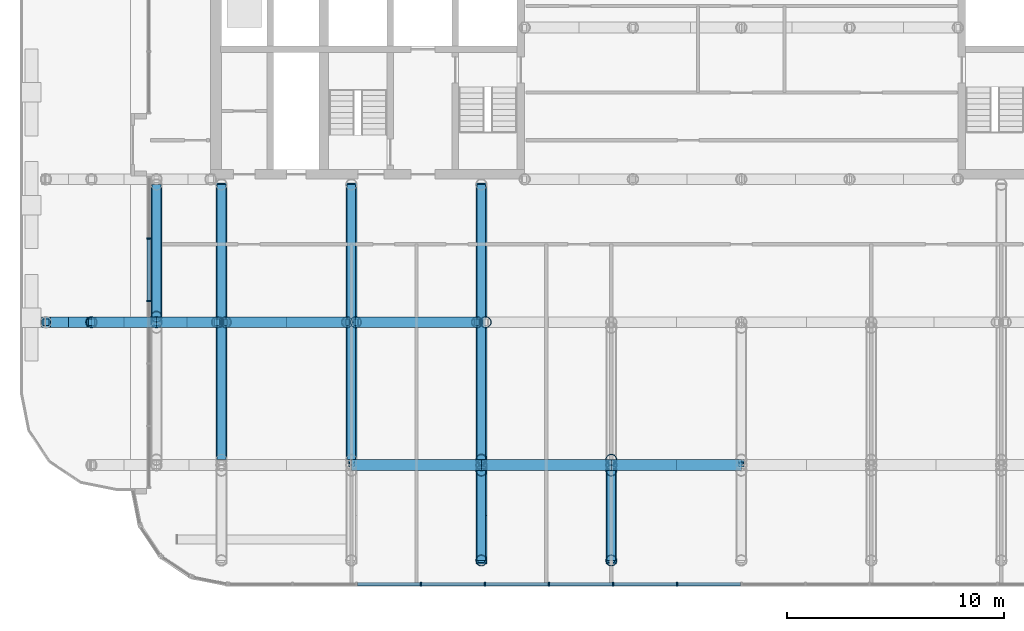
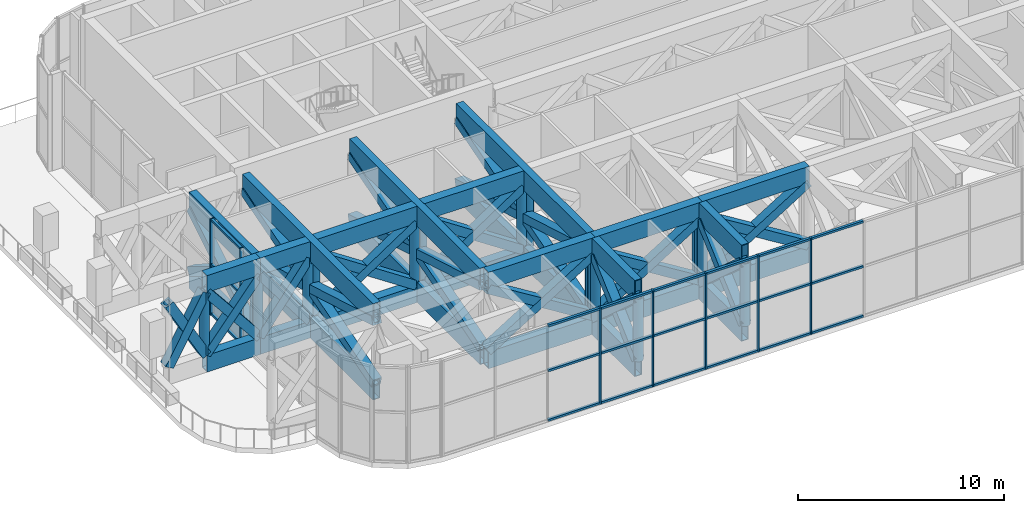
# One storey, part 2 of 25: 73 members, 26 beams, 2 elements without a shape of their own.
"""IFC4 building model written with IfcOpenShell, lengths in metres."""

from ifc_helpers import new_model, si_unit, direction, frame, origin, origin_2d, place, context, subcontext, project, spatial, rectangle, hollow_rectangle, hollow_circle, extrude, material, layer, layer_set, material_profile, profile_set, type_object, element, aggregate, save


model = new_model("IFC4")

# Units and contexts
model_context = context("Model", 3, precision=1e-05, world=origin(), true_north=direction((0.0, 1.0)))
body_context = subcontext(model_context, "Body", "Model", "MODEL_VIEW")
ifc_project = project(units=[si_unit("LENGTHUNIT", "METRE"), si_unit("AREAUNIT", "SQUARE_METRE"), si_unit("VOLUMEUNIT", "CUBIC_METRE"), si_unit("PLANEANGLEUNIT", "RADIAN"), si_unit("MASSUNIT", "GRAM", prefix="KILO")], contexts=[model_context])

# Site, building, storey
site_placement = place(None, origin())
site = spatial("IfcSite", under=ifc_project, at=site_placement, CompositionType="ELEMENT")
building_placement = place(site_placement, origin())
building = spatial("IfcBuilding", under=site, at=building_placement, Name="Torana Hotel and Residences", CompositionType="ELEMENT")
storey_placement = place(building_placement, frame((0.0, 0.0, 106.800048828125)))
storey = spatial("IfcBuildingStorey", under=building, at=storey_placement, Name="L27", CompositionType="ELEMENT", Elevation=106.800048828125)

# Curtain wall, members
ifc_material_1 = material(Name="Dark anodised aluminium", Category="aluminium")
ifc_layer = layer(ifc_material_1, 0.199951171875)
ifc_layer_set = layer_set([ifc_layer], Name="CW2 SKY LOBBY UNITISED CURTAIN WALL")
curtain_wall_type = type_object("IfcCurtainWallType", Name="CW2 SKY LOBBY UNITISED CURTAIN WALL", PredefinedType="NOTDEFINED", material=ifc_layer_set)
curtain_wall_1_placement = place(storey_placement, origin())
curtain_wall_1 = element("IfcCurtainWall", 1, at=curtain_wall_1_placement, inside=storey, type_object=curtain_wall_type, Name="Curtain wall CW2 L27 e0.9-2", PredefinedType="NOTDEFINED")
ifc_material_2 = material(Name="Dark anodised aluminium", Category="aluminium")
ifc_material_profile_1 = material_profile(ifc_material_2, rectangle(XDim=0.199951171875, YDim=0.070068359375, at=origin_2d()), Name="CW2 MULLION 70x200")
ifc_profile_set_1 = profile_set([ifc_material_profile_1], Name="Dark anodised aluminium")
member_type_1 = type_object("IfcMemberType", Name="CW2 MULLION 70x200", PredefinedType="MULLION", material=ifc_profile_set_1)
member_1_placement = place(storey_placement, frame((-27.35498046875, -17.74169921875, 0.0), z_axis=(0.0, 0.0, 1.0), x_axis=(1.0, 0.0, 0.0)))
member_1 = element("IfcMember", 2, at=member_1_placement, type_object=member_type_1, Name="CW2 mullion 2", PredefinedType="MULLION", context=body_context, shape_type="SweptSolid", body=[
    extrude(rectangle(XDim=0.199951171875, YDim=0.070068359375, at=origin_2d()), origin(), (0.0, 0.0, 1.0), 5.719970703125),
])
member_2_placement = place(storey_placement, frame((-27.35498046875, -20.625244140625, 0.0), z_axis=(0.0, 0.0, 1.0), x_axis=(1.0, 0.0, 0.0)))
member_2 = element("IfcMember", 3, at=member_2_placement, type_object=member_type_1, Name="CW2 mullion 3", PredefinedType="MULLION", context=body_context, shape_type="SweptSolid", body=[
    extrude(rectangle(XDim=0.199951171875, YDim=0.070068359375, at=origin_2d()), origin(), (0.0, 0.0, 1.0), 5.719970703125),
])

curtain_wall_2_placement = place(storey_placement, origin())
curtain_wall_2 = element("IfcCurtainWall", 4, at=curtain_wall_2_placement, inside=storey, type_object=curtain_wall_type, Name="Curtain wall CW2 L27 e0.14-1", PredefinedType="NOTDEFINED")
member_3_placement = place(storey_placement, frame((-14.797119140625, -33.699951171875, 0.0), z_axis=(0.0, 0.0, 1.0), x_axis=(0.0, 1.0, 0.0)))
member_3 = element("IfcMember", 5, at=member_3_placement, type_object=member_type_1, Name="CW2 mullion 4", PredefinedType="MULLION", context=body_context, shape_type="SweptSolid", body=[
    extrude(rectangle(XDim=0.199951171875, YDim=0.070068359375, at=origin_2d()), origin(), (0.0, 0.0, 1.0), 5.719970703125),
])
member_4_placement = place(storey_placement, frame((-11.837646484375, -33.699951171875, 0.0), z_axis=(0.0, 0.0, 1.0), x_axis=(0.0, 1.0, 0.0)))
member_4 = element("IfcMember", 6, at=member_4_placement, type_object=member_type_1, Name="CW2 mullion 5", PredefinedType="MULLION", context=body_context, shape_type="SweptSolid", body=[
    extrude(rectangle(XDim=0.199951171875, YDim=0.070068359375, at=origin_2d()), origin(), (0.0, 0.0, 1.0), 5.719970703125),
])
member_5_placement = place(storey_placement, frame((-8.878173828125, -33.699951171875, 0.0), z_axis=(0.0, 0.0, 1.0), x_axis=(0.0, 1.0, 0.0)))
member_5 = element("IfcMember", 7, at=member_5_placement, type_object=member_type_1, Name="CW2 mullion 6", PredefinedType="MULLION", context=body_context, shape_type="SweptSolid", body=[
    extrude(rectangle(XDim=0.199951171875, YDim=0.070068359375, at=origin_2d()), origin(), (0.0, 0.0, 1.0), 5.719970703125),
])
member_6_placement = place(storey_placement, frame((-5.9189453125, -33.699951171875, 0.0), z_axis=(0.0, 0.0, 1.0), x_axis=(0.0, 1.0, 0.0)))
member_6 = element("IfcMember", 8, at=member_6_placement, type_object=member_type_1, Name="CW2 mullion 7", PredefinedType="MULLION", context=body_context, shape_type="SweptSolid", body=[
    extrude(rectangle(XDim=0.199951171875, YDim=0.070068359375, at=origin_2d()), origin(), (0.0, 0.0, 1.0), 5.719970703125),
])
member_7_placement = place(storey_placement, frame((-2.95947265625, -33.699951171875, 0.0), z_axis=(0.0, 0.0, 1.0), x_axis=(0.0, 1.0, 0.0)))
member_7 = element("IfcMember", 9, at=member_7_placement, type_object=member_type_1, Name="CW2 mullion 8", PredefinedType="MULLION", context=body_context, shape_type="SweptSolid", body=[
    extrude(rectangle(XDim=0.199951171875, YDim=0.070068359375, at=origin_2d()), origin(), (0.0, 0.0, 1.0), 5.719970703125),
])

# Member
ifc_material_3 = material(Name="Dark anodised aluminium", Category="aluminium")
ifc_material_profile_2 = material_profile(ifc_material_3, rectangle(XDim=0.14990234375, YDim=0.1201171875, at=origin_2d()), Name="CW2 TRANSOM 150x120")
ifc_profile_set_2 = profile_set([ifc_material_profile_2], Name="Dark anodised aluminium")
member_type_2 = type_object("IfcMemberType", Name="CW2 TRANSOM 150x120", PredefinedType="USERDEFINED", material=ifc_profile_set_2)
member_8_placement = place(storey_placement, frame((-27.35498046875, -17.776611328125, 0.06005859375), z_axis=(0.0, -1.0, 0.0), x_axis=(1.0, 0.0, 0.0)))
member_8 = element("IfcMember", 10, at=member_8_placement, type_object=member_type_2, Name="CW2 transom 2.1", ObjectType="TRANSOM", PredefinedType="USERDEFINED", context=body_context, shape_type="SweptSolid", body=[
    extrude(rectangle(XDim=0.14990234375, YDim=0.1201171875, at=origin_2d()), origin(), (0.0, 0.0, 1.0), 2.8134765625),
])

member_9_placement = place(storey_placement, frame((-27.35498046875, -17.776611328125, 3.0), z_axis=(0.0, -1.0, 0.0), x_axis=(1.0, 0.0, 0.0)))
member_9 = element("IfcMember", 11, at=member_9_placement, type_object=member_type_2, Name="CW2 transom 2.2", ObjectType="TRANSOM", PredefinedType="USERDEFINED", context=body_context, shape_type="SweptSolid", body=[
    extrude(rectangle(XDim=0.14990234375, YDim=0.1201171875, at=origin_2d()), origin(), (0.0, 0.0, 1.0), 2.8134765625),
])

member_10_placement = place(storey_placement, frame((-27.35498046875, -17.776611328125, 5.659912109375), z_axis=(0.0, -1.0, 0.0), x_axis=(1.0, 0.0, 0.0)))
member_10 = element("IfcMember", 12, at=member_10_placement, type_object=member_type_2, Name="CW2 transom 2.3", ObjectType="TRANSOM", PredefinedType="USERDEFINED", context=body_context, shape_type="SweptSolid", body=[
    extrude(rectangle(XDim=0.14990234375, YDim=0.1201171875, at=origin_2d()), origin(), (0.0, 0.0, 1.0), 2.8134765625),
])

aggregate(curtain_wall_1, [member_1, member_2, member_8, member_9, member_10])

member_11_placement = place(storey_placement, frame((-17.721435546875, -33.699951171875, 0.06005859375), z_axis=(1.0, 0.0, 0.0), x_axis=(0.0, 1.0, 0.0)))
member_11 = element("IfcMember", 13, at=member_11_placement, type_object=member_type_2, Name="CW2 transom 3.1", ObjectType="TRANSOM", PredefinedType="USERDEFINED", context=body_context, shape_type="SweptSolid", body=[
    extrude(rectangle(XDim=0.14990234375, YDim=0.1201171875, at=origin_2d()), origin(), (0.0, 0.0, 1.0), 2.889404296875),
])

member_12_placement = place(storey_placement, frame((-17.721435546875, -33.699951171875, 3.0), z_axis=(1.0, 0.0, 0.0), x_axis=(0.0, 1.0, 0.0)))
member_12 = element("IfcMember", 14, at=member_12_placement, type_object=member_type_2, Name="CW2 transom 3.2", ObjectType="TRANSOM", PredefinedType="USERDEFINED", context=body_context, shape_type="SweptSolid", body=[
    extrude(rectangle(XDim=0.14990234375, YDim=0.1201171875, at=origin_2d()), origin(), (0.0, 0.0, 1.0), 2.889404296875),
])

member_13_placement = place(storey_placement, frame((-17.721435546875, -33.699951171875, 5.659912109375), z_axis=(1.0, 0.0, 0.0), x_axis=(0.0, 1.0, 0.0)))
member_13 = element("IfcMember", 15, at=member_13_placement, type_object=member_type_2, Name="CW2 transom 3.3", ObjectType="TRANSOM", PredefinedType="USERDEFINED", context=body_context, shape_type="SweptSolid", body=[
    extrude(rectangle(XDim=0.14990234375, YDim=0.1201171875, at=origin_2d()), origin(), (0.0, 0.0, 1.0), 2.889404296875),
])

member_14_placement = place(storey_placement, frame((-14.76220703125, -33.699951171875, 0.06005859375), z_axis=(1.0, 0.0, 0.0), x_axis=(0.0, 1.0, 0.0)))
member_14 = element("IfcMember", 16, at=member_14_placement, type_object=member_type_2, Name="CW2 transom 4.1", ObjectType="TRANSOM", PredefinedType="USERDEFINED", context=body_context, shape_type="SweptSolid", body=[
    extrude(rectangle(XDim=0.14990234375, YDim=0.1201171875, at=origin_2d()), origin(), (0.0, 0.0, 1.0), 2.889404296875),
])

member_15_placement = place(storey_placement, frame((-14.76220703125, -33.699951171875, 3.0), z_axis=(1.0, 0.0, 0.0), x_axis=(0.0, 1.0, 0.0)))
member_15 = element("IfcMember", 17, at=member_15_placement, type_object=member_type_2, Name="CW2 transom 4.2", ObjectType="TRANSOM", PredefinedType="USERDEFINED", context=body_context, shape_type="SweptSolid", body=[
    extrude(rectangle(XDim=0.14990234375, YDim=0.1201171875, at=origin_2d()), origin(), (0.0, 0.0, 1.0), 2.889404296875),
])

member_16_placement = place(storey_placement, frame((-14.76220703125, -33.699951171875, 5.659912109375), z_axis=(1.0, 0.0, 0.0), x_axis=(0.0, 1.0, 0.0)))
member_16 = element("IfcMember", 18, at=member_16_placement, type_object=member_type_2, Name="CW2 transom 4.3", ObjectType="TRANSOM", PredefinedType="USERDEFINED", context=body_context, shape_type="SweptSolid", body=[
    extrude(rectangle(XDim=0.14990234375, YDim=0.1201171875, at=origin_2d()), origin(), (0.0, 0.0, 1.0), 2.889404296875),
])

member_17_placement = place(storey_placement, frame((-11.802734375, -33.699951171875, 0.06005859375), z_axis=(1.0, 0.0, 0.0), x_axis=(0.0, 1.0, 0.0)))
member_17 = element("IfcMember", 19, at=member_17_placement, type_object=member_type_2, Name="CW2 transom 5.1", ObjectType="TRANSOM", PredefinedType="USERDEFINED", context=body_context, shape_type="SweptSolid", body=[
    extrude(rectangle(XDim=0.14990234375, YDim=0.1201171875, at=origin_2d()), origin(), (0.0, 0.0, 1.0), 2.889404296875),
])

member_18_placement = place(storey_placement, frame((-11.802734375, -33.699951171875, 3.0), z_axis=(1.0, 0.0, 0.0), x_axis=(0.0, 1.0, 0.0)))
member_18 = element("IfcMember", 20, at=member_18_placement, type_object=member_type_2, Name="CW2 transom 5.2", ObjectType="TRANSOM", PredefinedType="USERDEFINED", context=body_context, shape_type="SweptSolid", body=[
    extrude(rectangle(XDim=0.14990234375, YDim=0.1201171875, at=origin_2d()), origin(), (0.0, 0.0, 1.0), 2.889404296875),
])

member_19_placement = place(storey_placement, frame((-11.802734375, -33.699951171875, 5.659912109375), z_axis=(1.0, 0.0, 0.0), x_axis=(0.0, 1.0, 0.0)))
member_19 = element("IfcMember", 21, at=member_19_placement, type_object=member_type_2, Name="CW2 transom 5.3", ObjectType="TRANSOM", PredefinedType="USERDEFINED", context=body_context, shape_type="SweptSolid", body=[
    extrude(rectangle(XDim=0.14990234375, YDim=0.1201171875, at=origin_2d()), origin(), (0.0, 0.0, 1.0), 2.889404296875),
])

member_20_placement = place(storey_placement, frame((-8.84326171875, -33.699951171875, 0.06005859375), z_axis=(1.0, 0.0, 0.0), x_axis=(0.0, 1.0, 0.0)))
member_20 = element("IfcMember", 22, at=member_20_placement, type_object=member_type_2, Name="CW2 transom 6.1", ObjectType="TRANSOM", PredefinedType="USERDEFINED", context=body_context, shape_type="SweptSolid", body=[
    extrude(rectangle(XDim=0.14990234375, YDim=0.1201171875, at=origin_2d()), origin(), (0.0, 0.0, 1.0), 2.889404296875),
])

member_21_placement = place(storey_placement, frame((-8.84326171875, -33.699951171875, 3.0), z_axis=(1.0, 0.0, 0.0), x_axis=(0.0, 1.0, 0.0)))
member_21 = element("IfcMember", 23, at=member_21_placement, type_object=member_type_2, Name="CW2 transom 6.2", ObjectType="TRANSOM", PredefinedType="USERDEFINED", context=body_context, shape_type="SweptSolid", body=[
    extrude(rectangle(XDim=0.14990234375, YDim=0.1201171875, at=origin_2d()), origin(), (0.0, 0.0, 1.0), 2.889404296875),
])

member_22_placement = place(storey_placement, frame((-8.84326171875, -33.699951171875, 5.659912109375), z_axis=(1.0, 0.0, 0.0), x_axis=(0.0, 1.0, 0.0)))
member_22 = element("IfcMember", 24, at=member_22_placement, type_object=member_type_2, Name="CW2 transom 6.3", ObjectType="TRANSOM", PredefinedType="USERDEFINED", context=body_context, shape_type="SweptSolid", body=[
    extrude(rectangle(XDim=0.14990234375, YDim=0.1201171875, at=origin_2d()), origin(), (0.0, 0.0, 1.0), 2.889404296875),
])

member_23_placement = place(storey_placement, frame((-5.8837890625, -33.699951171875, 0.06005859375), z_axis=(1.0, 0.0, 0.0), x_axis=(0.0, 1.0, 0.0)))
member_23 = element("IfcMember", 25, at=member_23_placement, type_object=member_type_2, Name="CW2 transom 7.1", ObjectType="TRANSOM", PredefinedType="USERDEFINED", context=body_context, shape_type="SweptSolid", body=[
    extrude(rectangle(XDim=0.14990234375, YDim=0.1201171875, at=origin_2d()), origin(), (0.0, 0.0, 1.0), 2.889404296875),
])

member_24_placement = place(storey_placement, frame((-5.8837890625, -33.699951171875, 3.0), z_axis=(1.0, 0.0, 0.0), x_axis=(0.0, 1.0, 0.0)))
member_24 = element("IfcMember", 26, at=member_24_placement, type_object=member_type_2, Name="CW2 transom 7.2", ObjectType="TRANSOM", PredefinedType="USERDEFINED", context=body_context, shape_type="SweptSolid", body=[
    extrude(rectangle(XDim=0.14990234375, YDim=0.1201171875, at=origin_2d()), origin(), (0.0, 0.0, 1.0), 2.889404296875),
])

member_25_placement = place(storey_placement, frame((-5.8837890625, -33.699951171875, 5.659912109375), z_axis=(1.0, 0.0, 0.0), x_axis=(0.0, 1.0, 0.0)))
member_25 = element("IfcMember", 27, at=member_25_placement, type_object=member_type_2, Name="CW2 transom 7.3", ObjectType="TRANSOM", PredefinedType="USERDEFINED", context=body_context, shape_type="SweptSolid", body=[
    extrude(rectangle(XDim=0.14990234375, YDim=0.1201171875, at=origin_2d()), origin(), (0.0, 0.0, 1.0), 2.889404296875),
])

member_26_placement = place(storey_placement, frame((-2.92431640625, -33.699951171875, 0.06005859375), z_axis=(1.0, 0.0, 0.0), x_axis=(0.0, 1.0, 0.0)))
member_26 = element("IfcMember", 28, at=member_26_placement, type_object=member_type_2, Name="CW2 transom 8.1", ObjectType="TRANSOM", PredefinedType="USERDEFINED", context=body_context, shape_type="SweptSolid", body=[
    extrude(rectangle(XDim=0.14990234375, YDim=0.1201171875, at=origin_2d()), origin(), (0.0, 0.0, 1.0), 2.889404296875),
])

member_27_placement = place(storey_placement, frame((-2.92431640625, -33.699951171875, 3.0), z_axis=(1.0, 0.0, 0.0), x_axis=(0.0, 1.0, 0.0)))
member_27 = element("IfcMember", 29, at=member_27_placement, type_object=member_type_2, Name="CW2 transom 8.2", ObjectType="TRANSOM", PredefinedType="USERDEFINED", context=body_context, shape_type="SweptSolid", body=[
    extrude(rectangle(XDim=0.14990234375, YDim=0.1201171875, at=origin_2d()), origin(), (0.0, 0.0, 1.0), 2.889404296875),
])

member_28_placement = place(storey_placement, frame((-2.92431640625, -33.699951171875, 5.659912109375), z_axis=(1.0, 0.0, 0.0), x_axis=(0.0, 1.0, 0.0)))
member_28 = element("IfcMember", 30, at=member_28_placement, type_object=member_type_2, Name="CW2 transom 8.3", ObjectType="TRANSOM", PredefinedType="USERDEFINED", context=body_context, shape_type="SweptSolid", body=[
    extrude(rectangle(XDim=0.14990234375, YDim=0.1201171875, at=origin_2d()), origin(), (0.0, 0.0, 1.0), 2.889404296875),
])

aggregate(curtain_wall_2, [member_3, member_4, member_5, member_6, member_7, member_11, member_12, member_13, member_14, member_15, member_16, member_17, member_18, member_19, member_20, member_21, member_22, member_23, member_24, member_25, member_26, member_27, member_28])

# Beams
ifc_material_4 = material(Name="Steel S355", Category="steel")
ifc_material_profile_3 = material_profile(ifc_material_4, hollow_rectangle(XDim=0.5, YDim=1.0, WallThickness=0.050048828125, at=origin_2d()), Name="BOX 1000x500x50")
ifc_profile_set_3 = profile_set([ifc_material_profile_3], Name="Steel S355")
beam_type_1 = type_object("IfcBeamType", Name="STEEL CHORD BOX 1000x500x50", PredefinedType="BEAM", material=ifc_profile_set_3)
for number, where, z_axis, x_axis, name in (
    (31, (-18.0, -28.199951171875, 0.5), (1.0, 0.0, 0.0), (0.0, 1.0, 0.0), "Transfer chord L27"),
    (32, (-18.0, -28.199951171875, 5.219970703125), (1.0, 0.0, 0.0), (0.0, 1.0, 0.0), "Transfer chord L27"),
    (33, (-12.0, -28.199951171875, 0.5), (1.0, 0.0, 0.0), (0.0, 1.0, 0.0), "Transfer chord L27"),
    (34, (-12.0, -28.199951171875, 5.219970703125), (1.0, 0.0, 0.0), (0.0, 1.0, 0.0), "Transfer chord L27"),
    (35, (-6.0, -28.199951171875, 0.5), (1.0, 0.0, 0.0), (0.0, 1.0, 0.0), "Transfer chord L27"),
    (36, (-6.0, -28.199951171875, 5.219970703125), (1.0, 0.0, 0.0), (0.0, 1.0, 0.0), "Transfer chord L27"),
):
    element("IfcBeam", number, at=place(storey_placement, frame(where, z_axis=z_axis, x_axis=x_axis)), inside=storey, type_object=beam_type_1, Name=name, PredefinedType="BEAM", context=body_context, shape_type="SweptSolid", body=[
        extrude(hollow_rectangle(XDim=0.5, YDim=1.0, WallThickness=0.050048828125, at=origin_2d()), origin(), (0.0, 0.0, 1.0), 6.0),
    ])
for number, where, z_axis, x_axis, name in (
    (37, (-30.0, -21.60009765625, 0.5), (1.0, 0.0, 0.0), (0.0, 1.0, 0.0), "Transfer chord L27"),
    (38, (-30.0, -21.60009765625, 5.219970703125), (1.0, 0.0, 0.0), (0.0, 1.0, 0.0), "Transfer chord L27"),
):
    element("IfcBeam", number, at=place(storey_placement, frame(where, z_axis=z_axis, x_axis=x_axis)), inside=storey, type_object=beam_type_1, Name=name, PredefinedType="BEAM", context=body_context, shape_type="SweptSolid", body=[
        extrude(hollow_rectangle(XDim=0.5, YDim=1.0, WallThickness=0.050048828125, at=origin_2d()), origin(), (0.0, 0.0, 1.0), 3.0),
    ])
for number, where, z_axis, x_axis, name in (
    (39, (-27.0, -21.60009765625, 0.5), (1.0, 0.0, 0.0), (0.0, 1.0, 0.0), "Transfer chord L27"),
    (40, (-27.0, -21.60009765625, 5.219970703125), (1.0, 0.0, 0.0), (0.0, 1.0, 0.0), "Transfer chord L27"),
):
    element("IfcBeam", number, at=place(storey_placement, frame(where, z_axis=z_axis, x_axis=x_axis)), inside=storey, type_object=beam_type_1, Name=name, PredefinedType="BEAM", context=body_context, shape_type="SweptSolid", body=[
        extrude(hollow_rectangle(XDim=0.5, YDim=1.0, WallThickness=0.050048828125, at=origin_2d()), origin(), (0.0, 0.0, 1.0), 2.800048828125),
    ])
for number, where, z_axis, x_axis, name in (
    (41, (-23.800048828125, -21.60009765625, 0.5), (1.0, 0.0, 0.0), (0.0, 1.0, 0.0), "Transfer chord L27"),
    (42, (-23.800048828125, -21.60009765625, 5.219970703125), (1.0, 0.0, 0.0), (0.0, 1.0, 0.0), "Transfer chord L27"),
    (43, (-17.800048828125, -21.60009765625, 0.5), (1.0, 0.0, 0.0), (0.0, 1.0, 0.0), "Transfer chord L27"),
    (44, (-17.800048828125, -21.60009765625, 5.219970703125), (1.0, 0.0, 0.0), (0.0, 1.0, 0.0), "Transfer chord L27"),
):
    element("IfcBeam", number, at=place(storey_placement, frame(where, z_axis=z_axis, x_axis=x_axis)), inside=storey, type_object=beam_type_1, Name=name, PredefinedType="BEAM", context=body_context, shape_type="SweptSolid", body=[
        extrude(hollow_rectangle(XDim=0.5, YDim=1.0, WallThickness=0.050048828125, at=origin_2d()), origin(), (0.0, 0.0, 1.0), 5.60009765625),
    ])
ifc_material_5 = material(Name="Steel S355", Category="steel")
ifc_material_profile_4 = material_profile(ifc_material_5, hollow_rectangle(XDim=0.39990234375, YDim=1.199951171875, WallThickness=0.0400390625, at=origin_2d()), Name="BOX 1200x400x40")
ifc_profile_set_4 = profile_set([ifc_material_profile_4], Name="Steel S355")
beam_type_2 = type_object("IfcBeamType", Name="STEEL CHORD BOX 1200x400x40", PredefinedType="BEAM", material=ifc_profile_set_4)
for number, where, z_axis, x_axis, name in (
    (45, (-27.0, -21.35009765625, 0.599853515625), (0.0, 1.0, 0.0), (-1.0, 0.0, 0.0), "Transfer chord L27"),
    (46, (-27.0, -21.35009765625, 5.119873046875), (0.0, 1.0, 0.0), (-1.0, 0.0, 0.0), "Transfer chord L27"),
):
    element("IfcBeam", number, at=place(storey_placement, frame(where, z_axis=z_axis, x_axis=x_axis)), inside=storey, type_object=beam_type_2, Name=name, PredefinedType="BEAM", context=body_context, shape_type="SweptSolid", body=[
        extrude(hollow_rectangle(XDim=0.39990234375, YDim=1.199951171875, WallThickness=0.0400390625, at=origin_2d()), origin(), (0.0, 0.0, 1.0), 6.10009765625),
    ])
for number, where, z_axis, x_axis, name in (
    (47, (-24.0, -27.949951171875, 0.599853515625), (0.0, 1.0, 0.0), (-1.0, 0.0, 0.0), "Transfer chord L27"),
    (48, (-24.0, -27.949951171875, 5.119873046875), (0.0, 1.0, 0.0), (-1.0, 0.0, 0.0), "Transfer chord L27"),
    (49, (-18.0, -27.949951171875, 0.599853515625), (0.0, 1.0, 0.0), (-1.0, 0.0, 0.0), "Transfer chord L27"),
    (50, (-18.0, -27.949951171875, 5.119873046875), (0.0, 1.0, 0.0), (-1.0, 0.0, 0.0), "Transfer chord L27"),
):
    element("IfcBeam", number, at=place(storey_placement, frame(where, z_axis=z_axis, x_axis=x_axis)), inside=storey, type_object=beam_type_2, Name=name, PredefinedType="BEAM", context=body_context, shape_type="SweptSolid", body=[
        extrude(hollow_rectangle(XDim=0.39990234375, YDim=1.199951171875, WallThickness=0.0400390625, at=origin_2d()), origin(), (0.0, 0.0, 1.0), 12.699951171875),
    ])
for number, where, z_axis, x_axis, name in (
    (51, (-12.0, -32.60009765625, 0.599853515625), (0.0, 1.0, 0.0), (-1.0, 0.0, 0.0), "Transfer chord L27"),
    (52, (-12.0, -32.60009765625, 5.119873046875), (0.0, 1.0, 0.0), (-1.0, 0.0, 0.0), "Transfer chord L27"),
):
    element("IfcBeam", number, at=place(storey_placement, frame(where, z_axis=z_axis, x_axis=x_axis)), inside=storey, type_object=beam_type_2, Name=name, PredefinedType="BEAM", context=body_context, shape_type="SweptSolid", body=[
        extrude(hollow_rectangle(XDim=0.39990234375, YDim=1.199951171875, WallThickness=0.0400390625, at=origin_2d()), origin(), (0.0, 0.0, 1.0), 4.150146484375),
    ])
for number, where, z_axis, x_axis, name in (
    (53, (-12.0, -27.949951171875, 0.599853515625), (0.0, 1.0, 0.0), (-1.0, 0.0, 0.0), "Transfer chord L27"),
    (54, (-12.0, -27.949951171875, 5.119873046875), (0.0, 1.0, 0.0), (-1.0, 0.0, 0.0), "Transfer chord L27"),
):
    element("IfcBeam", number, at=place(storey_placement, frame(where, z_axis=z_axis, x_axis=x_axis)), inside=storey, type_object=beam_type_2, Name=name, PredefinedType="BEAM", context=body_context, shape_type="SweptSolid", body=[
        extrude(hollow_rectangle(XDim=0.39990234375, YDim=1.199951171875, WallThickness=0.0400390625, at=origin_2d()), origin(), (0.0, 0.0, 1.0), 12.699951171875),
    ])
for number, where, z_axis, x_axis, name in (
    (55, (-6.0, -32.60009765625, 0.599853515625), (0.0, 1.0, 0.0), (-1.0, 0.0, 0.0), "Transfer chord L27"),
    (56, (-6.0, -32.60009765625, 5.119873046875), (0.0, 1.0, 0.0), (-1.0, 0.0, 0.0), "Transfer chord L27"),
):
    element("IfcBeam", number, at=place(storey_placement, frame(where, z_axis=z_axis, x_axis=x_axis)), inside=storey, type_object=beam_type_2, Name=name, PredefinedType="BEAM", context=body_context, shape_type="SweptSolid", body=[
        extrude(hollow_rectangle(XDim=0.39990234375, YDim=1.199951171875, WallThickness=0.0400390625, at=origin_2d()), origin(), (0.0, 0.0, 1.0), 4.150146484375),
    ])

# Members
ifc_material_6 = material(Name="Steel S355", Category="steel")
ifc_material_profile_5 = material_profile(ifc_material_6, hollow_rectangle(XDim=0.5, YDim=0.5, WallThickness=0.10009765625, at=origin_2d()), Name="BOX 500x500x100")
ifc_profile_set_5 = profile_set([ifc_material_profile_5], Name="Steel S355")
member_type_3 = type_object("IfcMemberType", Name="STEEL DIAGONAL BOX 500x500x100", PredefinedType="BRACE", material=ifc_profile_set_5)
for number, where, z_axis, x_axis, name in (
    (57, (-18.0, -28.199951171875, 1.0), (0.84990455024, 0.0, 0.526936671224), (0.0, 1.0, 0.0), "Truss diagonal L27"),
    (58, (-12.0, -28.199951171875, 1.0), (-0.84990455024, 0.0, 0.526936671224), (0.0, -1.0, 0.0), "Truss diagonal L27"),
    (59, (-12.0, -28.199951171875, 1.0), (0.84990455024, 0.0, 0.526936671224), (0.0, 1.0, 0.0), "Truss diagonal L27"),
    (60, (-6.0, -28.199951171875, 1.0), (-0.84990455024, 0.0, 0.526936671224), (0.0, -1.0, 0.0), "Truss diagonal L27"),
    (61, (-6.0, -28.199951171875, 1.0), (0.84990455024, 0.0, 0.526936671224), (0.0, 1.0, 0.0), "Truss diagonal L27"),
    (62, (0.0, -28.199951171875, 1.0), (-0.84990455024, 0.0, 0.526936671224), (0.0, -1.0, 0.0), "Truss diagonal L27"),
):
    element("IfcMember", number, at=place(storey_placement, frame(where, z_axis=z_axis, x_axis=x_axis)), inside=storey, type_object=member_type_3, Name=name, PredefinedType="BRACE", context=body_context, shape_type="SweptSolid", body=[
        extrude(hollow_rectangle(XDim=0.5, YDim=0.5, WallThickness=0.10009765625, at=origin_2d()), origin(), (0.0, 0.0, 1.0), 7.0595703125),
    ])
for number, where, z_axis, x_axis, name in (
    (63, (-32.10009765625, -21.60009765625, 1.0), (0.491614639726, 0.0, 0.87081286509), (0.0, 1.0, 0.0), "Truss diagonal L27"),
    (64, (-30.0, -21.60009765625, 1.0), (-0.491614639726, 0.0, 0.87081286509), (0.0, -1.0, 0.0), "Truss diagonal L27"),
):
    element("IfcMember", number, at=place(storey_placement, frame(where, z_axis=z_axis, x_axis=x_axis)), inside=storey, type_object=member_type_3, Name=name, PredefinedType="BRACE", context=body_context, shape_type="SweptSolid", body=[
        extrude(hollow_rectangle(XDim=0.5, YDim=0.5, WallThickness=0.10009765625, at=origin_2d()), origin(), (0.0, 0.0, 1.0), 4.271728515625),
    ])
for number, where, z_axis, x_axis, name in (
    (65, (-30.0, -21.60009765625, 1.0), (0.627755446821, 0.0, 0.778410623634), (0.0, 1.0, 0.0), "Truss diagonal L27"),
    (66, (-27.0, -21.60009765625, 1.0), (-0.627755446821, 0.0, 0.778410623634), (0.0, -1.0, 0.0), "Truss diagonal L27"),
):
    element("IfcMember", number, at=place(storey_placement, frame(where, z_axis=z_axis, x_axis=x_axis)), inside=storey, type_object=member_type_3, Name=name, PredefinedType="BRACE", context=body_context, shape_type="SweptSolid", body=[
        extrude(hollow_rectangle(XDim=0.5, YDim=0.5, WallThickness=0.10009765625, at=origin_2d()), origin(), (0.0, 0.0, 1.0), 4.779052734375),
    ])
for number, where, z_axis, x_axis, name in (
    (67, (-27.0, -21.60009765625, 1.0), (0.60138340044, 0.0, 0.798960578299), (0.0, 1.0, 0.0), "Truss diagonal L27"),
    (68, (-24.199951171875, -21.60009765625, 1.0), (-0.60138340044, 0.0, 0.798960578299), (0.0, -1.0, 0.0), "Truss diagonal L27"),
):
    element("IfcMember", number, at=place(storey_placement, frame(where, z_axis=z_axis, x_axis=x_axis)), inside=storey, type_object=member_type_3, Name=name, PredefinedType="BRACE", context=body_context, shape_type="SweptSolid", body=[
        extrude(hollow_rectangle(XDim=0.5, YDim=0.5, WallThickness=0.10009765625, at=origin_2d()), origin(), (0.0, 0.0, 1.0), 4.656005859375),
    ])
for number, where, z_axis, x_axis, name in (
    (69, (-23.800048828125, -21.60009765625, 1.0), (0.832970962809, 0.0, 0.553316704173), (0.0, 1.0, 0.0), "Truss diagonal L27"),
    (70, (-18.199951171875, -21.60009765625, 1.0), (-0.832970962809, 0.0, 0.553316704173), (0.0, -1.0, 0.0), "Truss diagonal L27"),
    (71, (-17.800048828125, -21.60009765625, 1.0), (0.832970962809, 0.0, 0.553316704173), (0.0, 1.0, 0.0), "Truss diagonal L27"),
    (72, (-12.199951171875, -21.60009765625, 1.0), (-0.832970962809, 0.0, 0.553316704173), (0.0, -1.0, 0.0), "Truss diagonal L27"),
):
    element("IfcMember", number, at=place(storey_placement, frame(where, z_axis=z_axis, x_axis=x_axis)), inside=storey, type_object=member_type_3, Name=name, PredefinedType="BRACE", context=body_context, shape_type="SweptSolid", body=[
        extrude(hollow_rectangle(XDim=0.5, YDim=0.5, WallThickness=0.10009765625, at=origin_2d()), origin(), (0.0, 0.0, 1.0), 6.72314453125),
    ])
for number, where, z_axis, x_axis, name in (
    (73, (-27.0, -21.35009765625, 1.0), (0.0, 0.853771354905, 0.520648128339), (-1.0, 0.0, 0.0), "Truss diagonal L27"),
    (74, (-27.0, -15.25, 1.0), (0.0, -0.853771354905, 0.520648128339), (1.0, 0.0, 0.0), "Truss diagonal L27"),
):
    element("IfcMember", number, at=place(storey_placement, frame(where, z_axis=z_axis, x_axis=x_axis)), inside=storey, type_object=member_type_3, Name=name, PredefinedType="BRACE", context=body_context, shape_type="SweptSolid", body=[
        extrude(hollow_rectangle(XDim=0.5, YDim=0.5, WallThickness=0.10009765625, at=origin_2d()), origin(), (0.0, 0.0, 1.0), 7.144775390625),
    ])
for number, where, z_axis, x_axis, name in (
    (75, (-24.0, -27.949951171875, 1.0), (0.0, 0.95967806702, 0.281101418851), (-1.0, 0.0, 0.0), "Truss diagonal L27"),
    (76, (-24.0, -15.25, 1.0), (0.0, -0.95967806702, 0.281101418851), (1.0, 0.0, 0.0), "Truss diagonal L27"),
    (77, (-18.0, -27.949951171875, 1.0), (0.0, 0.95967806702, 0.281101418851), (-1.0, 0.0, 0.0), "Truss diagonal L27"),
    (78, (-18.0, -15.25, 1.0), (0.0, -0.95967806702, 0.281101418851), (1.0, 0.0, 0.0), "Truss diagonal L27"),
):
    element("IfcMember", number, at=place(storey_placement, frame(where, z_axis=z_axis, x_axis=x_axis)), inside=storey, type_object=member_type_3, Name=name, PredefinedType="BRACE", context=body_context, shape_type="SweptSolid", body=[
        extrude(hollow_rectangle(XDim=0.5, YDim=0.5, WallThickness=0.10009765625, at=origin_2d()), origin(), (0.0, 0.0, 1.0), 13.233642578125),
    ])
for number, where, z_axis, x_axis, name in (
    (79, (-12.0, -32.60009765625, 1.0), (0.0, 0.74464526482, 0.66746043297), (-1.0, 0.0, 0.0), "Truss diagonal L27"),
    (80, (-12.0, -28.449951171875, 1.0), (0.0, -0.74464526482, 0.66746043297), (1.0, 0.0, 0.0), "Truss diagonal L27"),
):
    element("IfcMember", number, at=place(storey_placement, frame(where, z_axis=z_axis, x_axis=x_axis)), inside=storey, type_object=member_type_3, Name=name, PredefinedType="BRACE", context=body_context, shape_type="SweptSolid", body=[
        extrude(hollow_rectangle(XDim=0.5, YDim=0.5, WallThickness=0.10009765625, at=origin_2d()), origin(), (0.0, 0.0, 1.0), 5.5732421875),
    ])
for number, where, z_axis, x_axis, name in (
    (81, (-12.0, -27.949951171875, 1.0), (0.0, 0.95967806702, 0.281101418851), (-1.0, 0.0, 0.0), "Truss diagonal L27"),
    (82, (-12.0, -15.25, 1.0), (0.0, -0.95967806702, 0.281101418851), (1.0, 0.0, 0.0), "Truss diagonal L27"),
):
    element("IfcMember", number, at=place(storey_placement, frame(where, z_axis=z_axis, x_axis=x_axis)), inside=storey, type_object=member_type_3, Name=name, PredefinedType="BRACE", context=body_context, shape_type="SweptSolid", body=[
        extrude(hollow_rectangle(XDim=0.5, YDim=0.5, WallThickness=0.10009765625, at=origin_2d()), origin(), (0.0, 0.0, 1.0), 13.233642578125),
    ])
for number, where, z_axis, x_axis, name in (
    (83, (-6.0, -32.60009765625, 1.0), (0.0, 0.74464526482, 0.66746043297), (-1.0, 0.0, 0.0), "Truss diagonal L27"),
    (84, (-6.0, -28.449951171875, 1.0), (0.0, -0.74464526482, 0.66746043297), (1.0, 0.0, 0.0), "Truss diagonal L27"),
):
    element("IfcMember", number, at=place(storey_placement, frame(where, z_axis=z_axis, x_axis=x_axis)), inside=storey, type_object=member_type_3, Name=name, PredefinedType="BRACE", context=body_context, shape_type="SweptSolid", body=[
        extrude(hollow_rectangle(XDim=0.5, YDim=0.5, WallThickness=0.10009765625, at=origin_2d()), origin(), (0.0, 0.0, 1.0), 5.5732421875),
    ])
ifc_material_7 = material(Name="Steel S355", Category="steel")
ifc_material_profile_6 = material_profile(ifc_material_7, hollow_circle(Radius=0.25390625, WallThickness=0.01611328125, at=origin_2d()), Name="508x16 CHS")
ifc_profile_set_6 = profile_set([ifc_material_profile_6], Name="Steel S355")
member_type_4 = type_object("IfcMemberType", Name="STEEL POST 508x16 CHS", PredefinedType="POST", material=ifc_profile_set_6)
for number, where, z_axis, x_axis, name in (
    (85, (-12.0, -28.199951171875, 1.0), (0.0, 0.0, 1.0), (1.0, 0.0, 0.0), "Truss post L27"),
    (86, (-6.0, -28.199951171875, 1.0), (0.0, 0.0, 1.0), (1.0, 0.0, 0.0), "Truss post L27"),
    (87, (-30.0, -21.60009765625, 1.0), (0.0, 0.0, 1.0), (1.0, 0.0, 0.0), "Truss post L27"),
    (88, (-27.0, -21.60009765625, 1.0), (0.0, 0.0, 1.0), (1.0, 0.0, 0.0), "Truss post L27"),
    (89, (-24.199951171875, -21.60009765625, 1.0), (0.0, 0.0, 1.0), (1.0, 0.0, 0.0), "Truss post L27"),
    (90, (-23.800048828125, -21.60009765625, 1.0), (0.0, 0.0, 1.0), (1.0, 0.0, 0.0), "Truss post L27"),
    (91, (-18.199951171875, -21.60009765625, 1.0), (0.0, 0.0, 1.0), (1.0, 0.0, 0.0), "Truss post L27"),
    (92, (-17.800048828125, -21.60009765625, 1.0), (0.0, 0.0, 1.0), (1.0, 0.0, 0.0), "Truss post L27"),
    (93, (-12.199951171875, -21.60009765625, 1.0), (0.0, 0.0, 1.0), (1.0, 0.0, 0.0), "Truss post L27"),
    (94, (-11.800048828125, -21.60009765625, 1.0), (0.0, 0.0, 1.0), (1.0, 0.0, 0.0), "Truss post L27"),
    (95, (-27.0, -21.35009765625, 1.0), (0.0, 0.0, 1.0), (1.0, 0.0, 0.0), "Truss post L27"),
    (96, (-12.0, -32.60009765625, 1.0), (0.0, 0.0, 1.0), (1.0, 0.0, 0.0), "Truss post L27"),
    (97, (-12.0, -28.449951171875, 1.0), (0.0, 0.0, 1.0), (1.0, 0.0, 0.0), "Truss post L27"),
    (98, (-12.0, -27.949951171875, 1.0), (0.0, 0.0, 1.0), (1.0, 0.0, 0.0), "Truss post L27"),
    (99, (-6.0, -32.60009765625, 1.0), (0.0, 0.0, 1.0), (1.0, 0.0, 0.0), "Truss post L27"),
    (100, (-6.0, -28.449951171875, 1.0), (0.0, 0.0, 1.0), (1.0, 0.0, 0.0), "Truss post L27"),
    (101, (-6.0, -27.949951171875, 1.0), (0.0, 0.0, 1.0), (1.0, 0.0, 0.0), "Truss post L27"),
):
    element("IfcMember", number, at=place(storey_placement, frame(where, z_axis=z_axis, x_axis=x_axis)), inside=storey, type_object=member_type_4, Name=name, PredefinedType="POST", context=body_context, shape_type="SweptSolid", body=[
        extrude(hollow_circle(Radius=0.25390625, WallThickness=0.01611328125, at=origin_2d()), origin(), (0.0, 0.0, 1.0), 3.719970703125),
    ])

save(model, "model.ifc")
